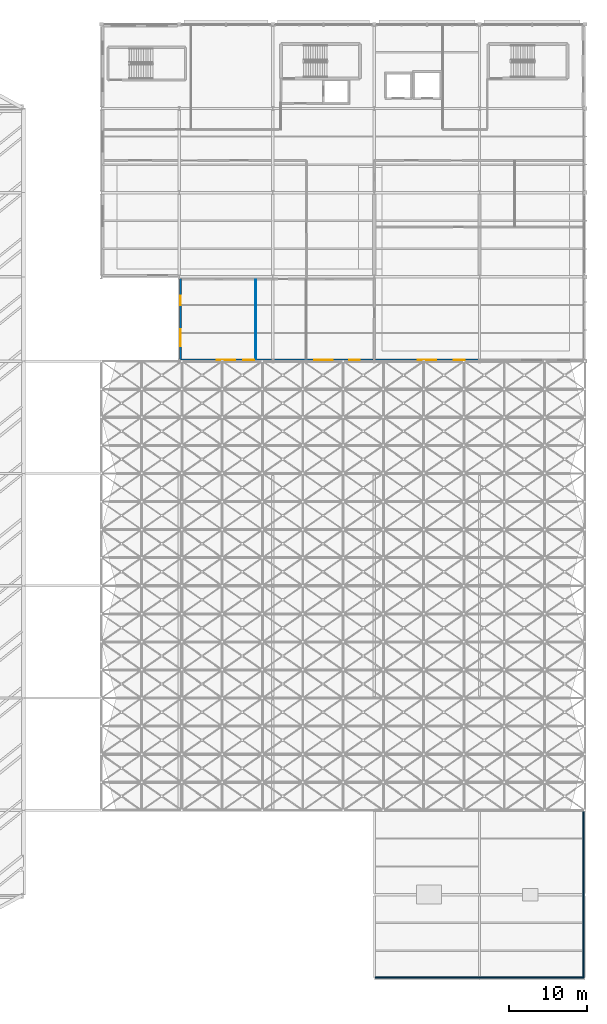
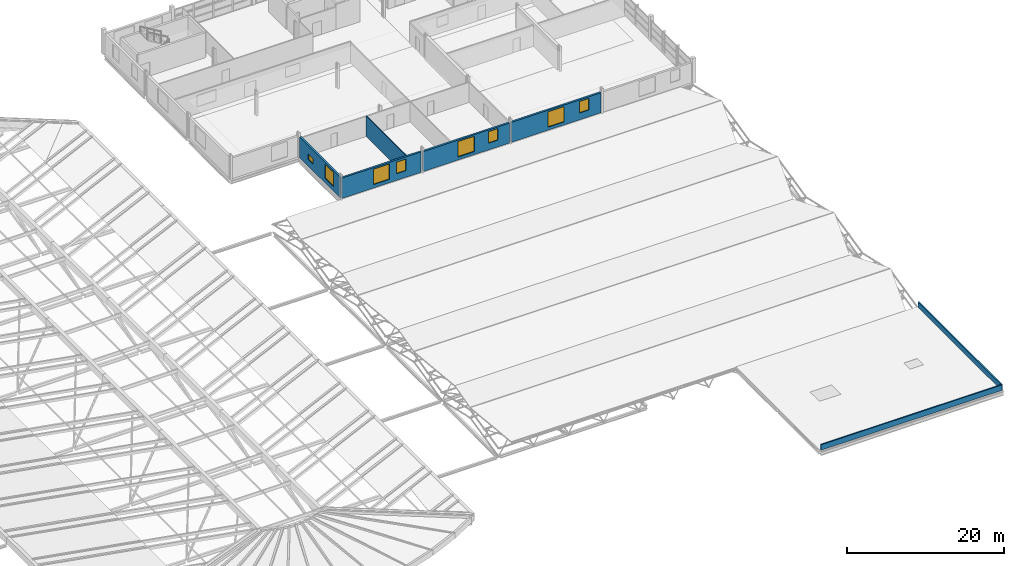
# One storey, part 102 of 110: 8 windows, 7 walls, 8 openings.
"""IFC4 building model written with IfcOpenShell, lengths in metres."""

from ifc_helpers import new_model, si_unit, direction, frame, frame_2d, origin, place, context, subcontext, project, spatial, rectangle, extrude, material, layer, layer_set, type_object, element, fill, save


model = new_model("IFC4")

# Units and contexts
model_context = context("Model", 3, precision=1e-05, world=origin(), true_north=direction((0.0, 1.0)))
body_context = subcontext(model_context, "Body", "Model", "MODEL_VIEW")
ifc_project = project(units=[si_unit("LENGTHUNIT", "METRE"), si_unit("AREAUNIT", "SQUARE_METRE"), si_unit("VOLUMEUNIT", "CUBIC_METRE"), si_unit("PLANEANGLEUNIT", "RADIAN"), si_unit("MASSUNIT", "GRAM", prefix="KILO")], contexts=[model_context])

# Site, building, storey
site_placement = place(None, origin())
site = spatial("IfcSite", under=ifc_project, at=site_placement, CompositionType="ELEMENT")
building_placement = place(site_placement, origin())
building = spatial("IfcBuilding", under=site, at=building_placement, Name="Tamarisk Ironworks Central Station", CompositionType="ELEMENT")
storey_placement = place(building_placement, frame((0.0, 0.0, 17.39990234375)))
storey = spatial("IfcBuildingStorey", under=building, at=storey_placement, Name="L03", CompositionType="ELEMENT", Elevation=17.39990234375)

# Wall, openings, windows
ifc_material_1 = material(Name="Clay facing brickwork and mortar", Category="masonry")
ifc_layer_1 = layer(ifc_material_1, 0.280029296875)
ifc_layer_set_1 = layer_set([ifc_layer_1], Name="Clay facing brickwork and mortar")
wall_type_1 = type_object("IfcWallType", Name="WL-BR280", PredefinedType="STANDARD", material=ifc_layer_set_1)
wall_1_placement = place(storey_placement, frame((128.14794921875, 79.340087890625, 0.0), z_axis=(0.0, 0.0, 1.0), x_axis=(1.0, 0.0, 0.0)))
wall_1 = element("IfcWall", 1, at=wall_1_placement, inside=storey, type_object=wall_type_1, Name="L03 brick facade wall 0079", PredefinedType="STANDARD", context=body_context, shape_type="SweptSolid", body=[
    extrude(rectangle(XDim=11.7041015625, YDim=0.280029296875, at=frame_2d((5.85205078125, 0.0))), origin(), (0.0, 0.0, 1.0), 3.18017578125),
])
opening_1_placement = place(wall_1_placement, frame((4.652099609375, 0.0, 0.5400390625)))
opening_1 = element("IfcOpeningElement", 2, at=opening_1_placement, cuts=wall_1, Name="Opening W06", PredefinedType="OPENING", context=body_context, shape_type="SweptSolid", body=[
    extrude(rectangle(XDim=2.39990234375, YDim=2.39990234375, at=frame_2d((1.199951171875, 1.199951171875))), frame((0.0, 0.15185546875, 0.0), z_axis=(0.0, -1.0, 0.0), x_axis=(1.0, 0.0, 0.0)), (0.0, 0.0, 1.0), 0.303955078125),
])
opening_2_placement = place(wall_1_placement, frame((8.037109375, 0.0, 1.050048828125)))
opening_2 = element("IfcOpeningElement", 3, at=opening_2_placement, cuts=wall_1, Name="Opening W12", PredefinedType="OPENING", context=body_context, shape_type="SweptSolid", body=[
    extrude(rectangle(XDim=1.39990234375, YDim=1.800048828125, at=frame_2d((0.699951171875, 0.89990234375))), frame((0.0, 0.15185546875, 0.0), z_axis=(0.0, -1.0, 0.0), x_axis=(1.0, 0.0, 0.0)), (0.0, 0.0, 1.0), 0.303955078125),
])
ifc_material_2 = material(Name="Laminated solar-control low-E glass", Category="glass")
window_type_1 = type_object("IfcWindowType", Name="WN-06", PartitioningType="SINGLE_PANEL", PredefinedType="WINDOW", material=ifc_material_2)
window_1_placement = place(opening_1_placement, origin())
window_1 = element("IfcWindow", 4, at=window_1_placement, inside=storey, type_object=window_type_1, Name="L03 exterior window 0135", OverallHeight=2.39990234375, OverallWidth=2.39990234375, PartitioningType="DOUBLE_PANEL_VERTICAL", PredefinedType="WINDOW", context=body_context, shape_type="SweptSolid", body=[
    extrude(rectangle(XDim=2.39990234375, YDim=2.39990234375, at=frame_2d((1.199951171875, 1.199951171875))), frame((0.0, 0.030029296875, 0.0), z_axis=(0.0, -1.0, 0.0), x_axis=(1.0, 0.0, 0.0)), (0.0, 0.0, 1.0), 0.06005859375),
])
fill(opening_1, window_1)
window_type_2 = type_object("IfcWindowType", Name="WN-12", PartitioningType="SINGLE_PANEL", PredefinedType="WINDOW", material=ifc_material_2)
window_2_placement = place(opening_2_placement, origin())
window_2 = element("IfcWindow", 5, at=window_2_placement, inside=storey, type_object=window_type_2, Name="L03 exterior window 0136", OverallHeight=1.800048828125, OverallWidth=1.39990234375, PartitioningType="DOUBLE_PANEL_VERTICAL", PredefinedType="WINDOW", context=body_context, shape_type="SweptSolid", body=[
    extrude(rectangle(XDim=1.39990234375, YDim=1.800048828125, at=frame_2d((0.699951171875, 0.89990234375))), frame((0.0, 0.030029296875, 0.0), z_axis=(0.0, -1.0, 0.0), x_axis=(1.0, 0.0, 0.0)), (0.0, 0.0, 1.0), 0.06005859375),
])
fill(opening_2, window_2)

wall_2_placement = place(storey_placement, frame((140.14794921875, 79.340087890625, 0.0), z_axis=(0.0, 0.0, 1.0), x_axis=(1.0, 0.0, 0.0)))
wall_2 = element("IfcWall", 6, at=wall_2_placement, inside=storey, type_object=wall_type_1, Name="L03 brick facade wall 0080", PredefinedType="STANDARD", context=body_context, shape_type="SweptSolid", body=[
    extrude(rectangle(XDim=12.7041015625, YDim=0.280029296875, at=frame_2d((6.35205078125, 0.0))), origin(), (0.0, 0.0, 1.0), 3.1201171875),
])
opening_3_placement = place(wall_2_placement, frame((5.152099609375, 0.0, 0.47998046875)))
opening_3 = element("IfcOpeningElement", 7, at=opening_3_placement, cuts=wall_2, Name="Opening W06", PredefinedType="OPENING", context=body_context, shape_type="SweptSolid", body=[
    extrude(rectangle(XDim=2.39990234375, YDim=2.39990234375, at=frame_2d((1.199951171875, 1.199951171875))), frame((0.0, 0.15185546875, 0.0), z_axis=(0.0, -1.0, 0.0), x_axis=(1.0, 0.0, 0.0)), (0.0, 0.0, 1.0), 0.303955078125),
])
opening_4_placement = place(wall_2_placement, frame((9.6201171875, 0.0, 1.050048828125)))
opening_4 = element("IfcOpeningElement", 8, at=opening_4_placement, cuts=wall_2, Name="Opening W12", PredefinedType="OPENING", context=body_context, shape_type="SweptSolid", body=[
    extrude(rectangle(XDim=1.39990234375, YDim=1.800048828125, at=frame_2d((0.699951171875, 0.89990234375))), frame((0.0, 0.15185546875, 0.0), z_axis=(0.0, -1.0, 0.0), x_axis=(1.0, 0.0, 0.0)), (0.0, 0.0, 1.0), 0.303955078125),
])
window_3_placement = place(opening_3_placement, origin())
window_3 = element("IfcWindow", 9, at=window_3_placement, inside=storey, type_object=window_type_1, Name="L03 exterior window 0137", OverallHeight=2.39990234375, OverallWidth=2.39990234375, PartitioningType="DOUBLE_PANEL_VERTICAL", PredefinedType="WINDOW", context=body_context, shape_type="SweptSolid", body=[
    extrude(rectangle(XDim=2.39990234375, YDim=2.39990234375, at=frame_2d((1.199951171875, 1.199951171875))), frame((0.0, 0.030029296875, 0.0), z_axis=(0.0, -1.0, 0.0), x_axis=(1.0, 0.0, 0.0)), (0.0, 0.0, 1.0), 0.06005859375),
])
fill(opening_3, window_3)
window_4_placement = place(opening_4_placement, origin())
window_4 = element("IfcWindow", 10, at=window_4_placement, inside=storey, type_object=window_type_2, Name="L03 exterior window 0138", OverallHeight=1.800048828125, OverallWidth=1.39990234375, PartitioningType="DOUBLE_PANEL_VERTICAL", PredefinedType="WINDOW", context=body_context, shape_type="SweptSolid", body=[
    extrude(rectangle(XDim=1.39990234375, YDim=1.800048828125, at=frame_2d((0.699951171875, 0.89990234375))), frame((0.0, 0.030029296875, 0.0), z_axis=(0.0, -1.0, 0.0), x_axis=(1.0, 0.0, 0.0)), (0.0, 0.0, 1.0), 0.06005859375),
])
fill(opening_4, window_4)

wall_3_placement = place(storey_placement, frame((153.14794921875, 79.340087890625, 0.0), z_axis=(0.0, 0.0, 1.0), x_axis=(1.0, 0.0, 0.0)))
wall_3 = element("IfcWall", 11, at=wall_3_placement, inside=storey, type_object=wall_type_1, Name="L03 brick facade wall 0081", PredefinedType="STANDARD", context=body_context, shape_type="SweptSolid", body=[
    extrude(rectangle(XDim=13.2041015625, YDim=0.280029296875, at=frame_2d((6.60205078125, 0.0))), origin(), (0.0, 0.0, 1.0), 3.1201171875),
])
opening_5_placement = place(wall_3_placement, frame((5.402099609375, 0.0, 0.47998046875)))
opening_5 = element("IfcOpeningElement", 12, at=opening_5_placement, cuts=wall_3, Name="Opening W06", PredefinedType="OPENING", context=body_context, shape_type="SweptSolid", body=[
    extrude(rectangle(XDim=2.39990234375, YDim=2.39990234375, at=frame_2d((1.199951171875, 1.199951171875))), frame((0.0, 0.15185546875, 0.0), z_axis=(0.0, -1.0, 0.0), x_axis=(1.0, 0.0, 0.0)), (0.0, 0.0, 1.0), 0.303955078125),
])
opening_6_placement = place(wall_3_placement, frame((10.037109375, 0.0, 1.050048828125)))
opening_6 = element("IfcOpeningElement", 13, at=opening_6_placement, cuts=wall_3, Name="Opening W12", PredefinedType="OPENING", context=body_context, shape_type="SweptSolid", body=[
    extrude(rectangle(XDim=1.39990234375, YDim=1.800048828125, at=frame_2d((0.699951171875, 0.89990234375))), frame((0.0, 0.15185546875, 0.0), z_axis=(0.0, -1.0, 0.0), x_axis=(1.0, 0.0, 0.0)), (0.0, 0.0, 1.0), 0.303955078125),
])
window_5_placement = place(opening_5_placement, origin())
window_5 = element("IfcWindow", 14, at=window_5_placement, inside=storey, type_object=window_type_1, Name="L03 exterior window 0139", OverallHeight=2.39990234375, OverallWidth=2.39990234375, PartitioningType="DOUBLE_PANEL_VERTICAL", PredefinedType="WINDOW", context=body_context, shape_type="SweptSolid", body=[
    extrude(rectangle(XDim=2.39990234375, YDim=2.39990234375, at=frame_2d((1.199951171875, 1.199951171875))), frame((0.0, 0.030029296875, 0.0), z_axis=(0.0, -1.0, 0.0), x_axis=(1.0, 0.0, 0.0)), (0.0, 0.0, 1.0), 0.06005859375),
])
fill(opening_5, window_5)
window_6_placement = place(opening_6_placement, origin())
window_6 = element("IfcWindow", 15, at=window_6_placement, inside=storey, type_object=window_type_2, Name="L03 exterior window 0140", OverallHeight=1.800048828125, OverallWidth=1.39990234375, PartitioningType="DOUBLE_PANEL_VERTICAL", PredefinedType="WINDOW", context=body_context, shape_type="SweptSolid", body=[
    extrude(rectangle(XDim=1.39990234375, YDim=1.800048828125, at=frame_2d((0.699951171875, 0.89990234375))), frame((0.0, 0.030029296875, 0.0), z_axis=(0.0, -1.0, 0.0), x_axis=(1.0, 0.0, 0.0)), (0.0, 0.0, 1.0), 0.06005859375),
])
fill(opening_6, window_6)

wall_4_placement = place(storey_placement, frame((128.169921875, 79.423095703125, 0.0), z_axis=(0.0, 0.0, 1.0), x_axis=(0.0, 1.0, 0.0)))
wall_4 = element("IfcWall", 16, at=wall_4_placement, inside=storey, type_object=wall_type_1, Name="L03 brick facade wall 0087", PredefinedType="STANDARD", context=body_context, shape_type="SweptSolid", body=[
    extrude(rectangle(XDim=10.35400390625, YDim=0.280029296875, at=frame_2d((5.177001953125, 0.0))), origin(), (0.0, 0.0, 1.0), 3.22021484375),
])
opening_7_placement = place(wall_4_placement, frame((1.68798828125, 0.0, 0.75)))
opening_7 = element("IfcOpeningElement", 17, at=opening_7_placement, cuts=wall_4, Name="Opening W07", PredefinedType="OPENING", context=body_context, shape_type="SweptSolid", body=[
    extrude(rectangle(XDim=2.199951171875, YDim=2.199951171875, at=frame_2d((1.10009765625, 1.10009765625))), frame((0.0, 0.15185546875, 0.0), z_axis=(0.0, -1.0, 0.0), x_axis=(1.0, 0.0, 0.0)), (0.0, 0.0, 1.0), 0.303955078125),
])
opening_8_placement = place(wall_4_placement, frame((6.965087890625, 0.0, 1.050048828125)))
opening_8 = element("IfcOpeningElement", 18, at=opening_8_placement, cuts=wall_4, Name="Opening W19", PredefinedType="OPENING", context=body_context, shape_type="SweptSolid", body=[
    extrude(rectangle(XDim=1.199951171875, YDim=0.89990234375, at=frame_2d((0.60009765625, 0.449951171875))), frame((0.0, 0.15185546875, 0.0), z_axis=(0.0, -1.0, 0.0), x_axis=(1.0, 0.0, 0.0)), (0.0, 0.0, 1.0), 0.303955078125),
])
window_type_3 = type_object("IfcWindowType", Name="WN-07", PartitioningType="SINGLE_PANEL", PredefinedType="WINDOW", material=ifc_material_2)
window_7_placement = place(opening_7_placement, origin())
window_7 = element("IfcWindow", 19, at=window_7_placement, inside=storey, type_object=window_type_3, Name="L03 exterior window 0148", OverallHeight=2.199951171875, OverallWidth=2.199951171875, PartitioningType="DOUBLE_PANEL_VERTICAL", PredefinedType="WINDOW", context=body_context, shape_type="SweptSolid", body=[
    extrude(rectangle(XDim=2.199951171875, YDim=2.199951171875, at=frame_2d((1.10009765625, 1.10009765625))), frame((0.0, 0.030029296875, 0.0), z_axis=(0.0, -1.0, 0.0), x_axis=(1.0, 0.0, 0.0)), (0.0, 0.0, 1.0), 0.06005859375),
])
fill(opening_7, window_7)
window_type_4 = type_object("IfcWindowType", Name="WN-19", PartitioningType="SINGLE_PANEL", PredefinedType="WINDOW", material=ifc_material_2)
window_8_placement = place(opening_8_placement, origin())
window_8 = element("IfcWindow", 20, at=window_8_placement, inside=storey, type_object=window_type_4, Name="L03 exterior window 0149", OverallHeight=0.89990234375, OverallWidth=1.199951171875, PartitioningType="DOUBLE_PANEL_VERTICAL", PredefinedType="WINDOW", context=body_context, shape_type="SweptSolid", body=[
    extrude(rectangle(XDim=1.199951171875, YDim=0.89990234375, at=frame_2d((0.60009765625, 0.449951171875))), frame((0.0, 0.030029296875, 0.0), z_axis=(0.0, -1.0, 0.0), x_axis=(1.0, 0.0, 0.0)), (0.0, 0.0, 1.0), 0.06005859375),
])
fill(opening_8, window_8)

# Walls
ifc_material_3 = material(Name="Precast concrete C45/55", Category="concrete")
ifc_layer_2 = layer(ifc_material_3, 0.179931640625)
ifc_layer_set_2 = layer_set([ifc_layer_2], Name="Precast concrete C45/55")
wall_type_2 = type_object("IfcWallType", Name="WL-PA180", PredefinedType="PARAPET", material=ifc_layer_set_2)
wall_5_placement = place(storey_placement, frame((153.14990234375, 0.14990234375, 0.0), z_axis=(0.0, 0.0, 1.0), x_axis=(1.0, 0.0, 0.0)))
element("IfcWall", 21, at=wall_5_placement, inside=storey, type_object=wall_type_2, Name="L03 flat roof parapet wall 09", PredefinedType="PARAPET", context=body_context, shape_type="SweptSolid", body=[
    extrude(rectangle(XDim=26.7001953125, YDim=0.179931640625, at=frame_2d((13.35009765625, 0.0))), origin(), (0.0, 0.0, 1.0), 0.85009765625),
])
wall_6_placement = place(storey_placement, frame((179.85009765625, 0.14990234375, 0.0), z_axis=(0.0, 0.0, 1.0), x_axis=(0.0, 1.0, 0.0)))
element("IfcWall", 22, at=wall_6_placement, inside=storey, type_object=wall_type_2, Name="L03 flat roof parapet wall 10", PredefinedType="PARAPET", context=body_context, shape_type="SweptSolid", body=[
    extrude(rectangle(XDim=21.300048828125, YDim=0.179931640625, at=frame_2d((10.64990234375, 0.0))), origin(), (0.0, 0.0, 1.0), 0.85009765625),
])
ifc_material_4 = material(Name="Gypsum plasterboard acoustic partition")
ifc_layer_3 = layer(ifc_material_4, 0.1201171875)
ifc_layer_set_3 = layer_set([ifc_layer_3], Name="Gypsum plasterboard acoustic partition")
wall_type_3 = type_object("IfcWallType", Name="WL-PT120", PredefinedType="PARTITIONING", material=ifc_layer_set_3)
wall_7_placement = place(storey_placement, frame((137.800048828125, 79.47802734375, 0.0), z_axis=(0.0, 0.0, 1.0), x_axis=(0.0, 1.0, 0.0)))
element("IfcWall", 23, at=wall_7_placement, inside=storey, type_object=wall_type_3, Name="L03 interior partition 0113", PredefinedType="PARTITIONING", context=body_context, shape_type="SweptSolid", body=[
    extrude(rectangle(XDim=10.14892578125, YDim=0.1201171875, at=frame_2d((5.074462890625, 0.0))), origin(), (0.0, 0.0, 1.0), 3.22021484375),
])

save(model, "model.ifc")
